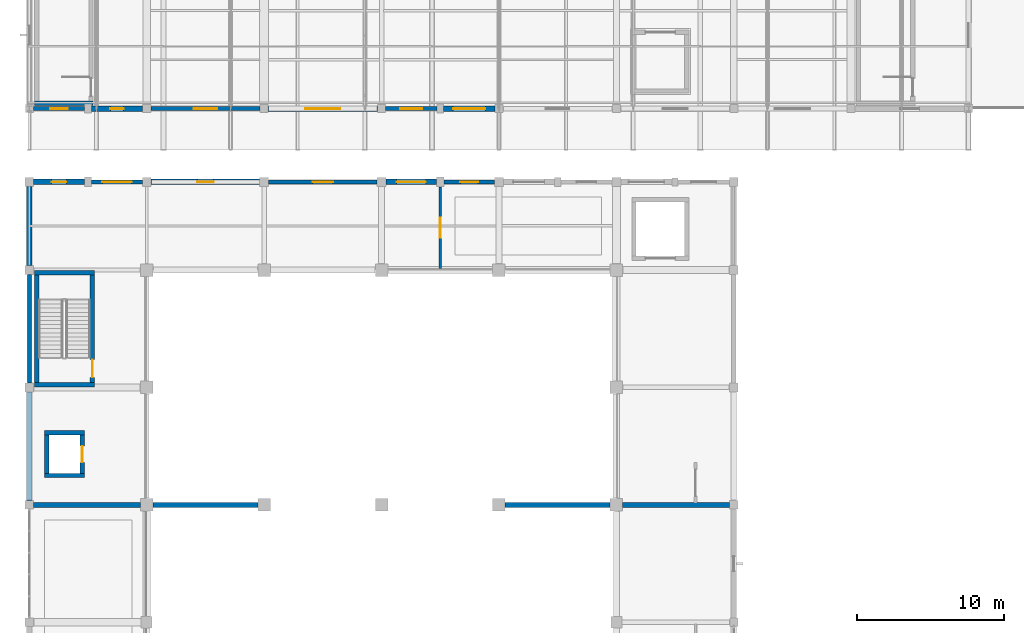
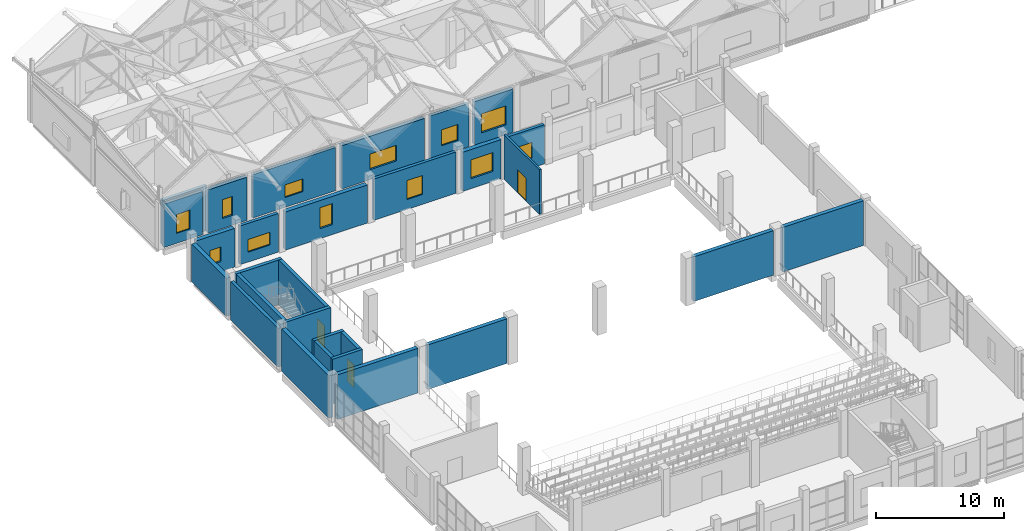
# One storey, part 143 of 183: 29 walls, 12 windows, 3 doors, 15 openings.
"""IFC4 building model written with IfcOpenShell, lengths in metres."""

from ifc_helpers import new_model, si_unit, direction, frame, frame_2d, origin, place, context, subcontext, project, spatial, rectangle, extrude, material, layer, layer_set, type_object, element, fill, save


model = new_model("IFC4")

# Units and contexts
model_context = context("Model", 3, precision=1e-05, world=origin(), true_north=direction((0.0, 1.0)))
body_context = subcontext(model_context, "Body", "Model", "MODEL_VIEW")
ifc_project = project(units=[si_unit("LENGTHUNIT", "METRE"), si_unit("AREAUNIT", "SQUARE_METRE"), si_unit("VOLUMEUNIT", "CUBIC_METRE"), si_unit("PLANEANGLEUNIT", "RADIAN"), si_unit("MASSUNIT", "GRAM", prefix="KILO")], contexts=[model_context])

# Site, building, storey
site_placement = place(None, origin())
site = spatial("IfcSite", under=ifc_project, at=site_placement, CompositionType="ELEMENT")
building_placement = place(site_placement, origin())
building = spatial("IfcBuilding", under=site, at=building_placement, Name="Luwemba Playhouse", CompositionType="ELEMENT")
storey_placement = place(building_placement, frame((0.0, 0.0, 4.800048828125)))
storey = spatial("IfcBuildingStorey", under=building, at=storey_placement, Name="L01", CompositionType="ELEMENT", Elevation=4.800048828125)

# Walls
ifc_material_1 = material(Name="Clay facing brick obra vista masonry", Category="masonry")
ifc_layer_1 = layer(ifc_material_1, 0.3798828125)
ifc_layer_set_1 = layer_set([ifc_layer_1], Name="Clay facing brick obra vista masonry")
wall_type_1 = type_object("IfcWallType", Name="WAL-BRK-380", PredefinedType="SOLIDWALL", material=ifc_layer_set_1)
wall_1_placement = place(storey_placement, frame((4.0, 68.300048828125, 0.0), z_axis=(0.0, 0.0, 1.0), x_axis=(0.0, 1.0, 0.0)))
element("IfcWall", 1, at=wall_1_placement, inside=storey, type_object=wall_type_1, Name="L01 V2 exterior facade wall 0146", PredefinedType="SOLIDWALL", context=body_context, shape_type="SweptSolid", body=[
    extrude(rectangle(XDim=7.39990234375, YDim=0.3798828125, at=frame_2d((3.699951171875, 0.0))), origin(), (0.0, 0.0, 1.0), 4.034912109375),
])
wall_2_placement = place(storey_placement, frame((4.0, 84.300048828125, 0.0), z_axis=(0.0, 0.0, 1.0), x_axis=(0.0, 1.0, 0.0)))
element("IfcWall", 2, at=wall_2_placement, inside=storey, type_object=wall_type_1, Name="L01 V2 exterior facade wall 0148", PredefinedType="SOLIDWALL", context=body_context, shape_type="SweptSolid", body=[
    extrude(rectangle(XDim=5.39990234375, YDim=0.3798828125, at=frame_2d((2.699951171875, 0.0))), origin(), (0.0, 0.0, 1.0), 3.635009765625),
])

# Wall, opening, window
wall_3_placement = place(storey_placement, frame((4.300048828125, 90.0, 0.0), z_axis=(0.0, 0.0, 1.0), x_axis=(1.0, 0.0, 0.0)))
wall_3 = element("IfcWall", 3, at=wall_3_placement, inside=storey, type_object=wall_type_1, Name="L01 V2 exterior facade wall 0149", PredefinedType="SOLIDWALL", context=body_context, shape_type="SweptSolid", body=[
    extrude(rectangle(XDim=3.449951171875, YDim=0.3798828125, at=frame_2d((1.72509765625, 0.0))), origin(), (0.0, 0.0, 1.0), 3.68505859375),
])
opening_1_placement = place(wall_3_placement, frame((1.22509765625, 0.0, 0.949951171875)))
opening_1 = element("IfcOpeningElement", 4, at=opening_1_placement, cuts=wall_3, Name="Opening WN-13", PredefinedType="OPENING", context=body_context, shape_type="SweptSolid", body=[
    extrude(rectangle(XDim=1.0, YDim=1.39990234375, at=frame_2d((0.5, 0.699951171875))), frame((0.0, 0.199951171875, 0.0), z_axis=(0.0, -1.0, 0.0), x_axis=(1.0, 0.0, 0.0)), (0.0, 0.0, 1.0), 0.39990234375),
])
ifc_material_2 = material(Name="Solar-control double glazing in aluminium frame", Category="aluminium")
window_type_1 = type_object("IfcWindowType", Name="WIN-WN-13", PartitioningType="SINGLE_PANEL", PredefinedType="WINDOW", material=ifc_material_2)
window_1_placement = place(opening_1_placement, origin())
window_1 = element("IfcWindow", 5, at=window_1_placement, inside=storey, type_object=window_type_1, Name="L01 V2 scheduled window 0101", OverallHeight=1.39990234375, OverallWidth=1.0, PartitioningType="SINGLE_PANEL", PredefinedType="WINDOW", context=body_context, shape_type="SweptSolid", body=[
    extrude(rectangle(XDim=1.0, YDim=1.39990234375, at=frame_2d((0.5, 0.699951171875))), frame((0.0, 0.030029296875, 0.0), z_axis=(0.0, -1.0, 0.0), x_axis=(1.0, 0.0, 0.0)), (0.0, 0.0, 1.0), 0.06005859375),
])
fill(opening_1, window_1)

wall_4_placement = place(storey_placement, frame((12.300048828125, 90.0, 0.0), z_axis=(0.0, 0.0, 1.0), x_axis=(1.0, 0.0, 0.0)))
wall_4 = element("IfcWall", 6, at=wall_4_placement, inside=storey, type_object=wall_type_1, Name="L01 V2 exterior facade wall 0151", PredefinedType="SOLIDWALL", context=body_context, shape_type="SweptSolid", body=[
    extrude(rectangle(XDim=7.39990234375, YDim=0.3798828125, at=frame_2d((3.699951171875, 0.0))), origin(), (0.0, 0.0, 1.0), 3.635009765625),
])
opening_2_placement = place(wall_4_placement, frame((3.14990234375, 0.0, 0.949951171875)))
opening_2 = element("IfcOpeningElement", 7, at=opening_2_placement, cuts=wall_4, Name="Opening WN-19", PredefinedType="OPENING", context=body_context, shape_type="SweptSolid", body=[
    extrude(rectangle(XDim=1.10009765625, YDim=2.0, at=frame_2d((0.550048828125, 1.0))), frame((0.0, 0.199951171875, 0.0), z_axis=(0.0, -1.0, 0.0), x_axis=(1.0, 0.0, 0.0)), (0.0, 0.0, 1.0), 0.39990234375),
])
window_type_2 = type_object("IfcWindowType", Name="WIN-WN-19", PartitioningType="SINGLE_PANEL", PredefinedType="WINDOW", material=ifc_material_2)
window_2_placement = place(opening_2_placement, origin())
window_2 = element("IfcWindow", 8, at=window_2_placement, inside=storey, type_object=window_type_2, Name="L01 V2 scheduled window 0103", OverallHeight=2.0, OverallWidth=1.10009765625, PartitioningType="SINGLE_PANEL", PredefinedType="WINDOW", context=body_context, shape_type="SweptSolid", body=[
    extrude(rectangle(XDim=1.10009765625, YDim=2.0, at=frame_2d((0.550048828125, 1.0))), frame((0.0, 0.030029296875, 0.0), z_axis=(0.0, -1.0, 0.0), x_axis=(1.0, 0.0, 0.0)), (0.0, 0.0, 1.0), 0.06005859375),
])
fill(opening_2, window_2)

wall_5_placement = place(storey_placement, frame((28.300048828125, 90.0, 0.0), z_axis=(0.0, 0.0, 1.0), x_axis=(1.0, 0.0, 0.0)))
wall_5 = element("IfcWall", 9, at=wall_5_placement, inside=storey, type_object=wall_type_1, Name="L01 V2 exterior facade wall 0153", PredefinedType="SOLIDWALL", context=body_context, shape_type="SweptSolid", body=[
    extrude(rectangle(XDim=3.449951171875, YDim=0.3798828125, at=frame_2d((1.72509765625, 0.0))), origin(), (0.0, 0.0, 1.0), 3.73486328125),
])
opening_3_placement = place(wall_5_placement, frame((0.72509765625, 0.0, 0.949951171875)))
opening_3 = element("IfcOpeningElement", 10, at=opening_3_placement, cuts=wall_5, Name="Opening WN-05", PredefinedType="OPENING", context=body_context, shape_type="SweptSolid", body=[
    extrude(rectangle(XDim=2.0, YDim=1.800048828125, at=frame_2d((1.0, 0.89990234375))), frame((0.0, 0.199951171875, 0.0), z_axis=(0.0, -1.0, 0.0), x_axis=(1.0, 0.0, 0.0)), (0.0, 0.0, 1.0), 0.39990234375),
])
window_type_3 = type_object("IfcWindowType", Name="WIN-WN-05", PartitioningType="TRIPLE_PANEL_VERTICAL", PredefinedType="WINDOW", material=ifc_material_2)
window_3_placement = place(opening_3_placement, origin())
window_3 = element("IfcWindow", 11, at=window_3_placement, inside=storey, type_object=window_type_3, Name="L01 V2 scheduled window 0105", OverallHeight=1.800048828125, OverallWidth=2.0, PartitioningType="TRIPLE_PANEL_VERTICAL", PredefinedType="WINDOW", context=body_context, shape_type="SweptSolid", body=[
    extrude(rectangle(XDim=2.0, YDim=1.800048828125, at=frame_2d((1.0, 0.89990234375))), frame((0.0, 0.030029296875, 0.0), z_axis=(0.0, -1.0, 0.0), x_axis=(1.0, 0.0, 0.0)), (0.0, 0.0, 1.0), 0.06005859375),
])
fill(opening_3, window_3)

wall_6_placement = place(storey_placement, frame((35.72509765625, 95.0, 0.0), z_axis=(0.0, 0.0, 1.0), x_axis=(-1.0, 0.0, 0.0)))
wall_6 = element("IfcWall", 12, at=wall_6_placement, inside=storey, type_object=wall_type_1, Name="L01 V6W exterior facade wall 0228", PredefinedType="SOLIDWALL", context=body_context, shape_type="SweptSolid", body=[
    extrude(rectangle(XDim=3.5, YDim=0.3798828125, at=frame_2d((1.75, 0.0))), origin(), (0.0, 0.0, 1.0), 4.125),
])
opening_4_placement = place(wall_6_placement, frame((0.64990234375, 0.0, 0.949951171875)))
opening_4 = element("IfcOpeningElement", 13, at=opening_4_placement, cuts=wall_6, Name="Opening WN-06", PredefinedType="OPENING", context=body_context, shape_type="SweptSolid", body=[
    extrude(rectangle(XDim=2.199951171875, YDim=1.800048828125, at=frame_2d((1.10009765625, 0.89990234375))), frame((0.0, 0.199951171875, 0.0), z_axis=(0.0, -1.0, 0.0), x_axis=(1.0, 0.0, 0.0)), (0.0, 0.0, 1.0), 0.39990234375),
])
window_type_4 = type_object("IfcWindowType", Name="WIN-WN-06", PartitioningType="TRIPLE_PANEL_VERTICAL", PredefinedType="WINDOW", material=ifc_material_2)
window_4_placement = place(opening_4_placement, origin())
window_4 = element("IfcWindow", 14, at=window_4_placement, inside=storey, type_object=window_type_4, Name="L01 V6W scheduled window 0175", OverallHeight=1.800048828125, OverallWidth=2.199951171875, PartitioningType="TRIPLE_PANEL_VERTICAL", PredefinedType="WINDOW", context=body_context, shape_type="SweptSolid", body=[
    extrude(rectangle(XDim=2.199951171875, YDim=1.800048828125, at=frame_2d((1.10009765625, 0.89990234375))), frame((0.0, 0.030029296875, 0.0), z_axis=(0.0, -1.0, 0.0), x_axis=(1.0, 0.0, 0.0)), (0.0, 0.0, 1.0), 0.06005859375),
])
fill(opening_4, window_4)

wall_7_placement = place(storey_placement, frame((27.72509765625, 95.0, 0.0), z_axis=(0.0, 0.0, 1.0), x_axis=(-1.0, 0.0, 0.0)))
wall_7 = element("IfcWall", 15, at=wall_7_placement, inside=storey, type_object=wall_type_1, Name="L01 V6W exterior facade wall 0230", PredefinedType="SOLIDWALL", context=body_context, shape_type="SweptSolid", body=[
    extrude(rectangle(XDim=7.4501953125, YDim=0.3798828125, at=frame_2d((3.72509765625, 0.0))), origin(), (0.0, 0.0, 1.0), 4.125),
])
opening_5_placement = place(wall_7_placement, frame((2.52490234375, 0.0, 0.949951171875)))
opening_5 = element("IfcOpeningElement", 16, at=opening_5_placement, cuts=wall_7, Name="Opening WN-12", PredefinedType="OPENING", context=body_context, shape_type="SweptSolid", body=[
    extrude(rectangle(XDim=2.39990234375, YDim=1.5, at=frame_2d((1.199951171875, 0.75))), frame((0.0, 0.199951171875, 0.0), z_axis=(0.0, -1.0, 0.0), x_axis=(1.0, 0.0, 0.0)), (0.0, 0.0, 1.0), 0.39990234375),
])
window_type_5 = type_object("IfcWindowType", Name="WIN-WN-12", PartitioningType="TRIPLE_PANEL_VERTICAL", PredefinedType="WINDOW", material=ifc_material_2)
window_5_placement = place(opening_5_placement, origin())
window_5 = element("IfcWindow", 17, at=window_5_placement, inside=storey, type_object=window_type_5, Name="L01 V6W scheduled window 0177", OverallHeight=1.5, OverallWidth=2.39990234375, PartitioningType="TRIPLE_PANEL_VERTICAL", PredefinedType="WINDOW", context=body_context, shape_type="SweptSolid", body=[
    extrude(rectangle(XDim=2.39990234375, YDim=1.5, at=frame_2d((1.199951171875, 0.75))), frame((0.0, 0.030029296875, 0.0), z_axis=(0.0, -1.0, 0.0), x_axis=(1.0, 0.0, 0.0)), (0.0, 0.0, 1.0), 0.06005859375),
])
fill(opening_5, window_5)

wall_8_placement = place(storey_placement, frame((11.72509765625, 95.0, 0.0), z_axis=(0.0, 0.0, 1.0), x_axis=(-1.0, 0.0, 0.0)))
wall_8 = element("IfcWall", 18, at=wall_8_placement, inside=storey, type_object=wall_type_1, Name="L01 V6W exterior facade wall 0232", PredefinedType="SOLIDWALL", context=body_context, shape_type="SweptSolid", body=[
    extrude(rectangle(XDim=3.5, YDim=0.3798828125, at=frame_2d((1.75, 0.0))), origin(), (0.0, 0.0, 1.0), 4.125),
])
opening_6_placement = place(wall_8_placement, frame((1.300048828125, 0.0, 0.949951171875)))
opening_6 = element("IfcOpeningElement", 19, at=opening_6_placement, cuts=wall_8, Name="Opening WN-18", PredefinedType="OPENING", context=body_context, shape_type="SweptSolid", body=[
    extrude(rectangle(XDim=0.89990234375, YDim=1.800048828125, at=frame_2d((0.449951171875, 0.89990234375))), frame((0.0, 0.199951171875, 0.0), z_axis=(0.0, -1.0, 0.0), x_axis=(1.0, 0.0, 0.0)), (0.0, 0.0, 1.0), 0.39990234375),
])
window_type_6 = type_object("IfcWindowType", Name="WIN-WN-18", PartitioningType="SINGLE_PANEL", PredefinedType="WINDOW", material=ifc_material_2)
window_6_placement = place(opening_6_placement, origin())
window_6 = element("IfcWindow", 20, at=window_6_placement, inside=storey, type_object=window_type_6, Name="L01 V6W scheduled window 0179", OverallHeight=1.800048828125, OverallWidth=0.89990234375, PartitioningType="SINGLE_PANEL", PredefinedType="WINDOW", context=body_context, shape_type="SweptSolid", body=[
    extrude(rectangle(XDim=0.89990234375, YDim=1.800048828125, at=frame_2d((0.449951171875, 0.89990234375))), frame((0.0, 0.030029296875, 0.0), z_axis=(0.0, -1.0, 0.0), x_axis=(1.0, 0.0, 0.0)), (0.0, 0.0, 1.0), 0.06005859375),
])
fill(opening_6, window_6)

# Walls
ifc_material_3 = material(Name="Concrete C40/50", Category="concrete")
ifc_layer_2 = layer(ifc_material_3, 0.300048828125)
ifc_layer_set_2 = layer_set([ifc_layer_2], Name="Concrete C40/50")
wall_type_2 = type_object("IfcWallType", Name="WAL-CORE-300", PredefinedType="SHEAR", material=ifc_layer_set_2)
for number, where, z_axis, x_axis, name in (
    (21, (4.35009765625, 76.18994140625, 0.0), (0.0, 0.0, 1.0), (1.0, 0.0, 0.0), "L01 ST-03 stair core wall S"),
    (22, (8.449951171875, 83.81005859375, 0.0), (0.0, 0.0, 1.0), (-1.0, 0.0, 0.0), "L01 ST-03 stair core wall N"),
):
    element("IfcWall", number, at=place(storey_placement, frame(where, z_axis=z_axis, x_axis=x_axis)), inside=storey, type_object=wall_type_2, Name=name, PredefinedType="SHEAR", context=body_context, shape_type="SweptSolid", body=[
        extrude(rectangle(XDim=4.099853515625, YDim=0.300048828125, at=frame_2d((2.0498046875, 0.0))), origin(), (0.0, 0.0, 1.0), 4.25),
    ])
wall_9_placement = place(storey_placement, frame((4.5, 76.340087890625, 0.0), z_axis=(0.0, 0.0, 1.0), x_axis=(0.0, 1.0, 0.0)))
element("IfcWall", 23, at=wall_9_placement, inside=storey, type_object=wall_type_2, Name="L01 ST-03 stair core wall W", PredefinedType="SHEAR", context=body_context, shape_type="SweptSolid", body=[
    extrude(rectangle(XDim=7.31982421875, YDim=0.300048828125, at=frame_2d((3.659912109375, 0.0))), origin(), (0.0, 0.0, 1.0), 4.25),
])

# Wall, opening, door
wall_10_placement = place(storey_placement, frame((8.300048828125, 76.340087890625, 0.0), z_axis=(0.0, 0.0, 1.0), x_axis=(0.0, 1.0, 0.0)))
wall_10 = element("IfcWall", 24, at=wall_10_placement, inside=storey, type_object=wall_type_2, Name="L01 ST-03 stair core wall E", PredefinedType="SHEAR", context=body_context, shape_type="SweptSolid", body=[
    extrude(rectangle(XDim=7.31982421875, YDim=0.300048828125, at=frame_2d((3.659912109375, 0.0))), origin(), (0.0, 0.0, 1.0), 4.25),
])
opening_7_placement = place(wall_10_placement, frame((0.35009765625, 0.0, 0.0)))
opening_7 = element("IfcOpeningElement", 25, at=opening_7_placement, cuts=wall_10, Name="Opening D-STAIR3", PredefinedType="OPENING", context=body_context, shape_type="SweptSolid", body=[
    extrude(rectangle(XDim=1.199951171875, YDim=2.14990234375, at=frame_2d((0.60009765625, 1.074951171875))), frame((0.0, 0.159912109375, 0.0), z_axis=(0.0, -1.0, 0.0), x_axis=(1.0, 0.0, 0.0)), (0.0, 0.0, 1.0), 0.320068359375),
])
ifc_material_4 = material(Name="Hardwood acoustic fire door leaf", Category="wood")
door_type_1 = type_object("IfcDoorType", Name="DR-STAIR-120", OperationType="NOTDEFINED", PredefinedType="DOOR", material=ifc_material_4)
door_1_placement = place(opening_7_placement, origin())
door_1 = element("IfcDoor", 26, at=door_1_placement, inside=storey, type_object=door_type_1, Name="L01 ST-03 protected stair entry door", OperationType="SINGLE_SWING_RIGHT", OverallHeight=2.14990234375, OverallWidth=1.199951171875, PredefinedType="DOOR", context=body_context, shape_type="SweptSolid", body=[
    extrude(rectangle(XDim=1.199951171875, YDim=2.14990234375, at=frame_2d((0.60009765625, 1.074951171875))), frame((0.0, 0.02490234375, 0.0), z_axis=(0.0, -1.0, 0.0), x_axis=(1.0, 0.0, 0.0)), (0.0, 0.0, 1.0), 0.050048828125),
])
fill(opening_7, door_1)

# Walls
wall_11_placement = place(storey_placement, frame((4.35009765625, 95.35009765625, 0.0), z_axis=(0.0, 0.0, 1.0), x_axis=(1.0, 0.0, 0.0)))
element("IfcWall", 27, at=wall_11_placement, inside=storey, type_object=wall_type_2, Name="L01 ST-08 stair core wall S", PredefinedType="SHEAR", context=body_context, shape_type="SweptSolid", body=[
    extrude(rectangle(XDim=4.0, YDim=0.300048828125, at=frame_2d((2.0, 0.0))), origin(), (0.0, 0.0, 1.0), 4.25),
])
for number, where, z_axis, x_axis, name in (
    (28, (5.050048828125, 70.0, 0.0), (0.0, 0.0, 1.0), (1.0, 0.0, 0.0), "L01 Lift LF-P2 shaft wall S"),
    (29, (7.75, 72.89990234375, 0.0), (0.0, 0.0, 1.0), (-1.0, 0.0, 0.0), "L01 Lift LF-P2 shaft wall N"),
):
    element("IfcWall", number, at=place(storey_placement, frame(where, z_axis=z_axis, x_axis=x_axis)), inside=storey, type_object=wall_type_2, Name=name, PredefinedType="SHEAR", context=body_context, shape_type="SweptSolid", body=[
        extrude(rectangle(XDim=2.699951171875, YDim=0.300048828125, at=frame_2d((1.35009765625, 0.0))), origin(), (0.0, 0.0, 1.0), 4.25),
    ])
wall_12_placement = place(storey_placement, frame((5.199951171875, 70.14990234375, 0.0), z_axis=(0.0, 0.0, 1.0), x_axis=(0.0, 1.0, 0.0)))
element("IfcWall", 30, at=wall_12_placement, inside=storey, type_object=wall_type_2, Name="L01 Lift LF-P2 shaft wall W", PredefinedType="SHEAR", context=body_context, shape_type="SweptSolid", body=[
    extrude(rectangle(XDim=2.60009765625, YDim=0.300048828125, at=frame_2d((1.300048828125, 0.0))), origin(), (0.0, 0.0, 1.0), 4.25),
])

# Wall, opening, door
wall_13_placement = place(storey_placement, frame((7.60009765625, 72.75, 0.0), z_axis=(0.0, 0.0, 1.0), x_axis=(0.0, -1.0, 0.0)))
wall_13 = element("IfcWall", 31, at=wall_13_placement, inside=storey, type_object=wall_type_2, Name="L01 Lift LF-P2 shaft wall E", PredefinedType="SHEAR", context=body_context, shape_type="SweptSolid", body=[
    extrude(rectangle(XDim=2.60009765625, YDim=0.300048828125, at=frame_2d((1.300048828125, 0.0))), origin(), (0.0, 0.0, 1.0), 4.25),
])
opening_8_placement = place(wall_13_placement, frame((0.75, 0.0, 0.0)))
opening_8 = element("IfcOpeningElement", 32, at=opening_8_placement, cuts=wall_13, Name="Opening LD-01", PredefinedType="OPENING", context=body_context, shape_type="SweptSolid", body=[
    extrude(rectangle(XDim=1.10009765625, YDim=2.14990234375, at=frame_2d((0.550048828125, 1.074951171875))), frame((0.0, 0.159912109375, 0.0), z_axis=(0.0, -1.0, 0.0), x_axis=(1.0, 0.0, 0.0)), (0.0, 0.0, 1.0), 0.320068359375),
])
ifc_material_5 = material(Name="Stainless steel lift landing doors", Category="steel")
door_type_2 = type_object("IfcDoorType", Name="DR-LIFT-110", OperationType="NOTDEFINED", PredefinedType="DOOR", material=ifc_material_5)
door_2_placement = place(opening_8_placement, origin())
door_2 = element("IfcDoor", 33, at=door_2_placement, inside=storey, type_object=door_type_2, Name="L01 Lift LF-P2 landing door", OperationType="DOUBLE_DOOR_SLIDING", OverallHeight=2.14990234375, OverallWidth=1.10009765625, PredefinedType="DOOR", context=body_context, shape_type="SweptSolid", body=[
    extrude(rectangle(XDim=1.10009765625, YDim=2.14990234375, at=frame_2d((0.550048828125, 1.074951171875))), frame((0.0, 0.02490234375, 0.0), z_axis=(0.0, -1.0, 0.0), x_axis=(1.0, 0.0, 0.0)), (0.0, 0.0, 1.0), 0.050048828125),
])
fill(opening_8, door_2)

ifc_material_6 = material(Name="Double-stud acoustic gypsum partition", Category="gypsum")
ifc_layer_3 = layer(ifc_material_6, 0.179931640625)
ifc_layer_set_3 = layer_set([ifc_layer_3], Name="Double-stud acoustic gypsum partition")
wall_type_3 = type_object("IfcWallType", Name="WAL-INT-180", PredefinedType="PARTITIONING", material=ifc_layer_set_3)
wall_14_placement = place(storey_placement, frame((32.0, 84.1201171875, 0.0), z_axis=(0.0, 0.0, 1.0), x_axis=(0.0, 1.0, 0.0)))
wall_14 = element("IfcWall", 34, at=wall_14_placement, inside=storey, type_object=wall_type_3, Name="L01 V2 interior partition 0123", PredefinedType="PARTITIONING", context=body_context, shape_type="SweptSolid", body=[
    extrude(rectangle(XDim=5.534912109375, YDim=0.179931640625, at=frame_2d((2.767578125, 0.0))), origin(), (0.0, 0.0, 1.0), 4.25),
])
opening_9_placement = place(wall_14_placement, frame((2.092529296875, 0.0, 0.0)))
opening_9 = element("IfcOpeningElement", 35, at=opening_9_placement, cuts=wall_14, Name="Opening D-STU1", PredefinedType="OPENING", context=body_context, shape_type="SweptSolid", body=[
    extrude(rectangle(XDim=1.35009765625, YDim=2.199951171875, at=frame_2d((0.675048828125, 1.10009765625))), frame((0.0, 0.099853515625, 0.0), z_axis=(0.0, -1.0, 0.0), x_axis=(1.0, 0.0, 0.0)), (0.0, 0.0, 1.0), 0.199951171875),
])
ifc_material_7 = material(Name="Acoustic studio door", Category="wood")
door_type_3 = type_object("IfcDoorType", Name="DR-STU-135", OperationType="NOTDEFINED", PredefinedType="DOOR", material=ifc_material_7)
door_3_placement = place(opening_9_placement, origin())
door_3 = element("IfcDoor", 36, at=door_3_placement, inside=storey, type_object=door_type_3, Name="L01 Stage Upper Crossover Gallery to Stage Lighting Dimmer Gallery door", OperationType="SINGLE_SWING_RIGHT", OverallHeight=2.199951171875, OverallWidth=1.35009765625, PredefinedType="DOOR", context=body_context, shape_type="SweptSolid", body=[
    extrude(rectangle(XDim=1.35009765625, YDim=2.199951171875, at=frame_2d((0.675048828125, 1.10009765625))), frame((0.0, 0.02490234375, 0.0), z_axis=(0.0, -1.0, 0.0), x_axis=(1.0, 0.0, 0.0)), (0.0, 0.0, 1.0), 0.050048828125),
])
fill(opening_9, door_3)

# Walls
ifc_layer_4 = layer(ifc_material_3, 0.35009765625)
ifc_layer_set_4 = layer_set([ifc_layer_4], Name="Concrete C40/50")
wall_type_4 = type_object("IfcWallType", Name="WAL-PROS-350", PredefinedType="SHEAR", material=ifc_layer_set_4)
wall_15_placement = place(storey_placement, frame((4.300048828125, 68.0, 0.0), z_axis=(0.0, 0.0, 1.0), x_axis=(1.0, 0.0, 0.0)))
element("IfcWall", 37, at=wall_15_placement, inside=storey, type_object=wall_type_4, Name="L01 Proscenium fire wall 11", PredefinedType="SHEAR", context=body_context, shape_type="SweptSolid", body=[
    extrude(rectangle(XDim=7.27490234375, YDim=0.35009765625, at=frame_2d((3.637451171875, 0.0))), origin(), (0.0, 0.0, 1.0), 4.25),
])
for number, where, z_axis, x_axis, name in (
    (38, (12.425048828125, 68.0, 0.0), (0.0, 0.0, 1.0), (1.0, 0.0, 0.0), "L01 Proscenium fire wall 12"),
    (39, (36.425048828125, 68.0, 0.0), (0.0, 0.0, 1.0), (1.0, 0.0, 0.0), "L01 Proscenium fire wall 13"),
):
    element("IfcWall", number, at=place(storey_placement, frame(where, z_axis=z_axis, x_axis=x_axis)), inside=storey, type_object=wall_type_4, Name=name, PredefinedType="SHEAR", context=body_context, shape_type="SweptSolid", body=[
        extrude(rectangle(XDim=7.14990234375, YDim=0.35009765625, at=frame_2d((3.574951171875, 0.0))), origin(), (0.0, 0.0, 1.0), 4.25),
    ])
wall_16_placement = place(storey_placement, frame((44.425048828125, 68.0, 0.0), z_axis=(0.0, 0.0, 1.0), x_axis=(1.0, 0.0, 0.0)))
element("IfcWall", 40, at=wall_16_placement, inside=storey, type_object=wall_type_4, Name="L01 Proscenium fire wall 14", PredefinedType="SHEAR", context=body_context, shape_type="SweptSolid", body=[
    extrude(rectangle(XDim=7.27490234375, YDim=0.35009765625, at=frame_2d((3.637451171875, 0.0))), origin(), (0.0, 0.0, 1.0), 4.25),
])
ifc_material_8 = material(Name="Structural timber GL24h infill", Category="wood")
ifc_layer_5 = layer(ifc_material_8, 0.280029296875)
ifc_layer_set_5 = layer_set([ifc_layer_5], Name="Structural timber GL24h infill")
wall_type_5 = type_object("IfcWallType", Name="WAL-TIM-280", PredefinedType="SOLIDWALL", material=ifc_layer_set_5)
wall_17_placement = place(storey_placement, frame((4.0, 76.300048828125, 0.0), z_axis=(0.0, 0.0, 1.0), x_axis=(0.0, 1.0, 0.0)))
element("IfcWall", 41, at=wall_17_placement, inside=storey, type_object=wall_type_5, Name="L01 V2 exterior facade wall 0147", PredefinedType="SOLIDWALL", context=body_context, shape_type="SweptSolid", body=[
    extrude(rectangle(XDim=7.39990234375, YDim=0.280029296875, at=frame_2d((3.699951171875, 0.0))), origin(), (0.0, 0.0, 1.0), 3.68505859375),
])

# Wall, opening, window
wall_18_placement = place(storey_placement, frame((8.25, 90.0, 0.0), z_axis=(0.0, 0.0, 1.0), x_axis=(1.0, 0.0, 0.0)))
wall_18 = element("IfcWall", 42, at=wall_18_placement, inside=storey, type_object=wall_type_5, Name="L01 V2 exterior facade wall 0150", PredefinedType="SOLIDWALL", context=body_context, shape_type="SweptSolid", body=[
    extrude(rectangle(XDim=3.449951171875, YDim=0.280029296875, at=frame_2d((1.72509765625, 0.0))), origin(), (0.0, 0.0, 1.0), 3.68505859375),
])
opening_10_placement = place(wall_18_placement, frame((0.72509765625, 0.0, 0.949951171875)))
opening_10 = element("IfcOpeningElement", 43, at=opening_10_placement, cuts=wall_18, Name="Opening WN-16", PredefinedType="OPENING", context=body_context, shape_type="SweptSolid", body=[
    extrude(rectangle(XDim=2.0, YDim=1.199951171875, at=frame_2d((1.0, 0.60009765625))), frame((0.0, 0.14990234375, 0.0), z_axis=(0.0, -1.0, 0.0), x_axis=(1.0, 0.0, 0.0)), (0.0, 0.0, 1.0), 0.300048828125),
])
window_type_7 = type_object("IfcWindowType", Name="WIN-WN-16", PartitioningType="DOUBLE_PANEL_HORIZONTAL", PredefinedType="WINDOW", material=ifc_material_2)
window_7_placement = place(opening_10_placement, origin())
window_7 = element("IfcWindow", 44, at=window_7_placement, inside=storey, type_object=window_type_7, Name="L01 V2 scheduled window 0102", OverallHeight=1.199951171875, OverallWidth=2.0, PartitioningType="DOUBLE_PANEL_HORIZONTAL", PredefinedType="WINDOW", context=body_context, shape_type="SweptSolid", body=[
    extrude(rectangle(XDim=2.0, YDim=1.199951171875, at=frame_2d((1.0, 0.60009765625))), frame((0.0, 0.030029296875, 0.0), z_axis=(0.0, -1.0, 0.0), x_axis=(1.0, 0.0, 0.0)), (0.0, 0.0, 1.0), 0.06005859375),
])
fill(opening_10, window_7)

wall_19_placement = place(storey_placement, frame((20.300048828125, 90.0, 0.0), z_axis=(0.0, 0.0, 1.0), x_axis=(1.0, 0.0, 0.0)))
wall_19 = element("IfcWall", 45, at=wall_19_placement, inside=storey, type_object=wall_type_5, Name="L01 V2 exterior facade wall 0152", PredefinedType="SOLIDWALL", context=body_context, shape_type="SweptSolid", body=[
    extrude(rectangle(XDim=7.39990234375, YDim=0.280029296875, at=frame_2d((3.699951171875, 0.0))), origin(), (0.0, 0.0, 1.0), 3.93505859375),
])
opening_11_placement = place(wall_19_placement, frame((3.0, 0.0, 0.949951171875)))
opening_11 = element("IfcOpeningElement", 46, at=opening_11_placement, cuts=wall_19, Name="Opening WN-02", PredefinedType="OPENING", context=body_context, shape_type="SweptSolid", body=[
    extrude(rectangle(XDim=1.39990234375, YDim=1.800048828125, at=frame_2d((0.699951171875, 0.89990234375))), frame((0.0, 0.14990234375, 0.0), z_axis=(0.0, -1.0, 0.0), x_axis=(1.0, 0.0, 0.0)), (0.0, 0.0, 1.0), 0.300048828125),
])
window_type_8 = type_object("IfcWindowType", Name="WIN-WN-02", PartitioningType="DOUBLE_PANEL_VERTICAL", PredefinedType="WINDOW", material=ifc_material_2)
window_8_placement = place(opening_11_placement, origin())
window_8 = element("IfcWindow", 47, at=window_8_placement, inside=storey, type_object=window_type_8, Name="L01 V2 scheduled window 0104", OverallHeight=1.800048828125, OverallWidth=1.39990234375, PartitioningType="DOUBLE_PANEL_VERTICAL", PredefinedType="WINDOW", context=body_context, shape_type="SweptSolid", body=[
    extrude(rectangle(XDim=1.39990234375, YDim=1.800048828125, at=frame_2d((0.699951171875, 0.89990234375))), frame((0.0, 0.030029296875, 0.0), z_axis=(0.0, -1.0, 0.0), x_axis=(1.0, 0.0, 0.0)), (0.0, 0.0, 1.0), 0.06005859375),
])
fill(opening_11, window_8)

wall_20_placement = place(storey_placement, frame((32.25, 90.0, 0.0), z_axis=(0.0, 0.0, 1.0), x_axis=(1.0, 0.0, 0.0)))
wall_20 = element("IfcWall", 48, at=wall_20_placement, inside=storey, type_object=wall_type_5, Name="L01 V2 exterior facade wall 0154", PredefinedType="SOLIDWALL", context=body_context, shape_type="SweptSolid", body=[
    extrude(rectangle(XDim=3.449951171875, YDim=0.280029296875, at=frame_2d((1.72509765625, 0.0))), origin(), (0.0, 0.0, 1.0), 3.73486328125),
])
opening_12_placement = place(wall_20_placement, frame((1.125, 0.0, 0.949951171875)))
opening_12 = element("IfcOpeningElement", 49, at=opening_12_placement, cuts=wall_20, Name="Opening WN-08", PredefinedType="OPENING", context=body_context, shape_type="SweptSolid", body=[
    extrude(rectangle(XDim=1.199951171875, YDim=1.5, at=frame_2d((0.60009765625, 0.75))), frame((0.0, 0.14990234375, 0.0), z_axis=(0.0, -1.0, 0.0), x_axis=(1.0, 0.0, 0.0)), (0.0, 0.0, 1.0), 0.300048828125),
])
window_type_9 = type_object("IfcWindowType", Name="WIN-WN-08", PartitioningType="SINGLE_PANEL", PredefinedType="WINDOW", material=ifc_material_2)
window_9_placement = place(opening_12_placement, origin())
window_9 = element("IfcWindow", 50, at=window_9_placement, inside=storey, type_object=window_type_9, Name="L01 V2 scheduled window 0106", OverallHeight=1.5, OverallWidth=1.199951171875, PartitioningType="SINGLE_PANEL", PredefinedType="WINDOW", context=body_context, shape_type="SweptSolid", body=[
    extrude(rectangle(XDim=1.199951171875, YDim=1.5, at=frame_2d((0.60009765625, 0.75))), frame((0.0, 0.030029296875, 0.0), z_axis=(0.0, -1.0, 0.0), x_axis=(1.0, 0.0, 0.0)), (0.0, 0.0, 1.0), 0.06005859375),
])
fill(opening_12, window_9)

wall_21_placement = place(storey_placement, frame((31.77490234375, 95.0, 0.0), z_axis=(0.0, 0.0, 1.0), x_axis=(-1.0, 0.0, 0.0)))
wall_21 = element("IfcWall", 51, at=wall_21_placement, inside=storey, type_object=wall_type_5, Name="L01 V6W exterior facade wall 0229", PredefinedType="SOLIDWALL", context=body_context, shape_type="SweptSolid", body=[
    extrude(rectangle(XDim=3.5, YDim=0.280029296875, at=frame_2d((1.75, 0.0))), origin(), (0.0, 0.0, 1.0), 4.125),
])
opening_13_placement = place(wall_21_placement, frame((1.0, 0.0, 0.949951171875)))
opening_13 = element("IfcOpeningElement", 52, at=opening_13_placement, cuts=wall_21, Name="Opening WN-09", PredefinedType="OPENING", context=body_context, shape_type="SweptSolid", body=[
    extrude(rectangle(XDim=1.5, YDim=1.5, at=frame_2d((0.75, 0.75))), frame((0.0, 0.14990234375, 0.0), z_axis=(0.0, -1.0, 0.0), x_axis=(1.0, 0.0, 0.0)), (0.0, 0.0, 1.0), 0.300048828125),
])
window_type_10 = type_object("IfcWindowType", Name="WIN-WN-09", PartitioningType="DOUBLE_PANEL_VERTICAL", PredefinedType="WINDOW", material=ifc_material_2)
window_10_placement = place(opening_13_placement, origin())
window_10 = element("IfcWindow", 53, at=window_10_placement, inside=storey, type_object=window_type_10, Name="L01 V6W scheduled window 0176", OverallHeight=1.5, OverallWidth=1.5, PartitioningType="DOUBLE_PANEL_VERTICAL", PredefinedType="WINDOW", context=body_context, shape_type="SweptSolid", body=[
    extrude(rectangle(XDim=1.5, YDim=1.5, at=frame_2d((0.75, 0.75))), frame((0.0, 0.030029296875, 0.0), z_axis=(0.0, -1.0, 0.0), x_axis=(1.0, 0.0, 0.0)), (0.0, 0.0, 1.0), 0.06005859375),
])
fill(opening_13, window_10)

wall_22_placement = place(storey_placement, frame((19.72509765625, 95.0, 0.0), z_axis=(0.0, 0.0, 1.0), x_axis=(-1.0, 0.0, 0.0)))
wall_22 = element("IfcWall", 54, at=wall_22_placement, inside=storey, type_object=wall_type_5, Name="L01 V6W exterior facade wall 0231", PredefinedType="SOLIDWALL", context=body_context, shape_type="SweptSolid", body=[
    extrude(rectangle(XDim=7.4501953125, YDim=0.280029296875, at=frame_2d((3.72509765625, 0.0))), origin(), (0.0, 0.0, 1.0), 4.125),
])
opening_14_placement = place(wall_22_placement, frame((2.925048828125, 0.0, 0.949951171875)))
opening_14 = element("IfcOpeningElement", 55, at=opening_14_placement, cuts=wall_22, Name="Opening WN-15", PredefinedType="OPENING", context=body_context, shape_type="SweptSolid", body=[
    extrude(rectangle(XDim=1.60009765625, YDim=1.199951171875, at=frame_2d((0.800048828125, 0.60009765625))), frame((0.0, 0.14990234375, 0.0), z_axis=(0.0, -1.0, 0.0), x_axis=(1.0, 0.0, 0.0)), (0.0, 0.0, 1.0), 0.300048828125),
])
window_type_11 = type_object("IfcWindowType", Name="WIN-WN-15", PartitioningType="DOUBLE_PANEL_HORIZONTAL", PredefinedType="WINDOW", material=ifc_material_2)
window_11_placement = place(opening_14_placement, origin())
window_11 = element("IfcWindow", 56, at=window_11_placement, inside=storey, type_object=window_type_11, Name="L01 V6W scheduled window 0178", OverallHeight=1.199951171875, OverallWidth=1.60009765625, PartitioningType="DOUBLE_PANEL_HORIZONTAL", PredefinedType="WINDOW", context=body_context, shape_type="SweptSolid", body=[
    extrude(rectangle(XDim=1.60009765625, YDim=1.199951171875, at=frame_2d((0.800048828125, 0.60009765625))), frame((0.0, 0.030029296875, 0.0), z_axis=(0.0, -1.0, 0.0), x_axis=(1.0, 0.0, 0.0)), (0.0, 0.0, 1.0), 0.06005859375),
])
fill(opening_14, window_11)

wall_23_placement = place(storey_placement, frame((7.77490234375, 95.0, 0.0), z_axis=(0.0, 0.0, 1.0), x_axis=(-1.0, 0.0, 0.0)))
wall_23 = element("IfcWall", 57, at=wall_23_placement, inside=storey, type_object=wall_type_5, Name="L01 V6W exterior facade wall 0233", PredefinedType="SOLIDWALL", context=body_context, shape_type="SweptSolid", body=[
    extrude(rectangle(XDim=3.5, YDim=0.280029296875, at=frame_2d((1.75, 0.0))), origin(), (0.0, 0.0, 1.0), 4.125),
])
opening_15_placement = place(wall_23_placement, frame((1.14990234375, 0.0, 0.949951171875)))
opening_15 = element("IfcOpeningElement", 58, at=opening_15_placement, cuts=wall_23, Name="Opening WN-01", PredefinedType="OPENING", context=body_context, shape_type="SweptSolid", body=[
    extrude(rectangle(XDim=1.199951171875, YDim=1.800048828125, at=frame_2d((0.60009765625, 0.89990234375))), frame((0.0, 0.14990234375, 0.0), z_axis=(0.0, -1.0, 0.0), x_axis=(1.0, 0.0, 0.0)), (0.0, 0.0, 1.0), 0.300048828125),
])
window_type_12 = type_object("IfcWindowType", Name="WIN-WN-01", PartitioningType="SINGLE_PANEL", PredefinedType="WINDOW", material=ifc_material_2)
window_12_placement = place(opening_15_placement, origin())
window_12 = element("IfcWindow", 59, at=window_12_placement, inside=storey, type_object=window_type_12, Name="L01 V6W scheduled window 0180", OverallHeight=1.800048828125, OverallWidth=1.199951171875, PartitioningType="SINGLE_PANEL", PredefinedType="WINDOW", context=body_context, shape_type="SweptSolid", body=[
    extrude(rectangle(XDim=1.199951171875, YDim=1.800048828125, at=frame_2d((0.60009765625, 0.89990234375))), frame((0.0, 0.030029296875, 0.0), z_axis=(0.0, -1.0, 0.0), x_axis=(1.0, 0.0, 0.0)), (0.0, 0.0, 1.0), 0.06005859375),
])
fill(opening_15, window_12)

save(model, "model.ifc")
